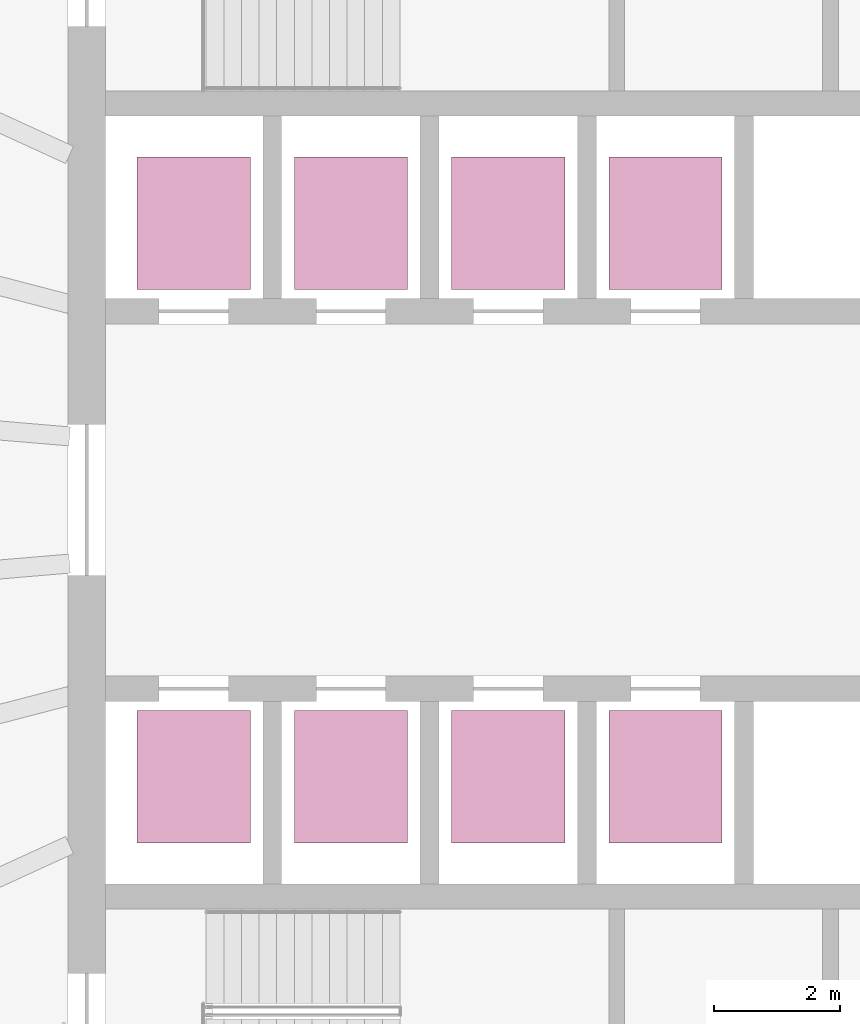
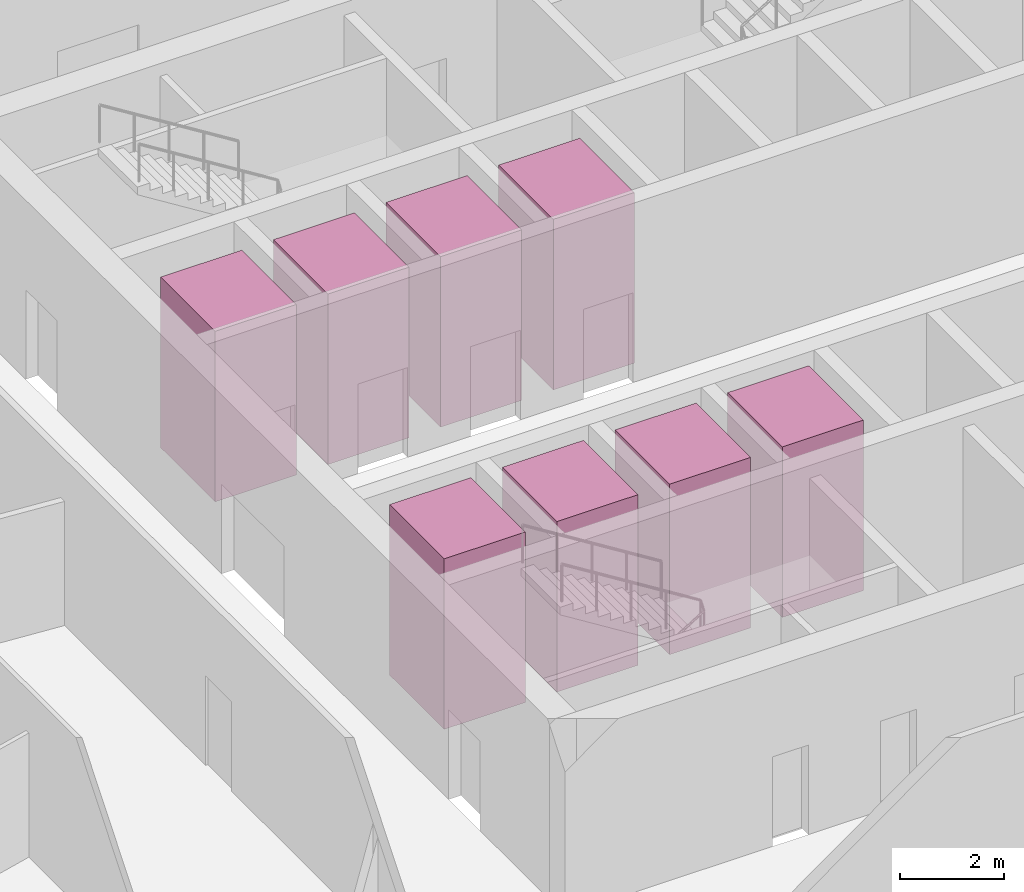
# One storey, part 11 of 11: 8 transport elements.
"""IFC4 building model written with IfcOpenShell, lengths in metres."""

from ifc_helpers import new_model, si_unit, direction, frame, origin, origin_2d, place, context, subcontext, project, spatial, rectangle, extrude, material, type_object, element, save


model = new_model("IFC4")

# Units and contexts
model_context = context("Model", 3, precision=1e-05, world=origin(), true_north=direction((0.0, 1.0)))
body_context = subcontext(model_context, "Body", "Model", "MODEL_VIEW")
ifc_project = project(units=[si_unit("LENGTHUNIT", "METRE"), si_unit("AREAUNIT", "SQUARE_METRE"), si_unit("VOLUMEUNIT", "CUBIC_METRE"), si_unit("PLANEANGLEUNIT", "RADIAN"), si_unit("MASSUNIT", "GRAM", prefix="KILO")], contexts=[model_context])

# Site, building, storey
site_placement = place(None, origin())
site = spatial("IfcSite", under=ifc_project, at=site_placement, CompositionType="ELEMENT")
building_placement = place(site_placement, origin())
building = spatial("IfcBuilding", under=site, at=building_placement, Name="Halqa Exchange Tower", CompositionType="ELEMENT")
storey_placement = place(building_placement, frame((0.0, 0.0, 82.300048828125)))
storey = spatial("IfcBuildingStorey", under=building, at=storey_placement, Name="L18", CompositionType="ELEMENT", Elevation=82.300048828125)

# Transport elements
ifc_material = material(Name="Stainless steel", Category="steel")
transport_element_type = type_object("IfcTransportElementType", Name="Low-rise passenger lift 1800 x 2100", PredefinedType="ELEVATOR", material=ifc_material)
for number, where, z_axis, x_axis, name in (
    (1, (-10.0, 4.39990234375, 0.0), (0.0, 0.0, 1.0), (1.0, 0.0, 0.0), "Low-rise passenger lift LR1"),
    (2, (-7.5, 4.39990234375, 0.0), (0.0, 0.0, 1.0), (1.0, 0.0, 0.0), "Low-rise passenger lift LR2"),
    (3, (-5.0, 4.39990234375, 0.0), (0.0, 0.0, 1.0), (1.0, 0.0, 0.0), "Low-rise passenger lift LR3"),
    (4, (-2.5, 4.39990234375, 0.0), (0.0, 0.0, 1.0), (1.0, 0.0, 0.0), "Low-rise passenger lift LR4"),
    (5, (-10.0, -4.39990234375, 0.0), (0.0, 0.0, 1.0), (1.0, 0.0, 0.0), "Low-rise passenger lift LR5"),
    (6, (-7.5, -4.39990234375, 0.0), (0.0, 0.0, 1.0), (1.0, 0.0, 0.0), "Low-rise passenger lift LR6"),
    (7, (-5.0, -4.39990234375, 0.0), (0.0, 0.0, 1.0), (1.0, 0.0, 0.0), "Low-rise passenger lift LR7"),
    (8, (-2.5, -4.39990234375, 0.0), (0.0, 0.0, 1.0), (1.0, 0.0, 0.0), "Low-rise passenger lift LR8"),
):
    element("IfcTransportElement", number, at=place(storey_placement, frame(where, z_axis=z_axis, x_axis=x_axis)), inside=storey, type_object=transport_element_type, Name=name, PredefinedType="ELEVATOR", context=body_context, shape_type="SweptSolid", body=[
        extrude(rectangle(XDim=1.800048828125, YDim=2.10009765625, at=origin_2d()), origin(), (0.0, 0.0, 1.0), 4.0),
    ])

save(model, "model.ifc")
